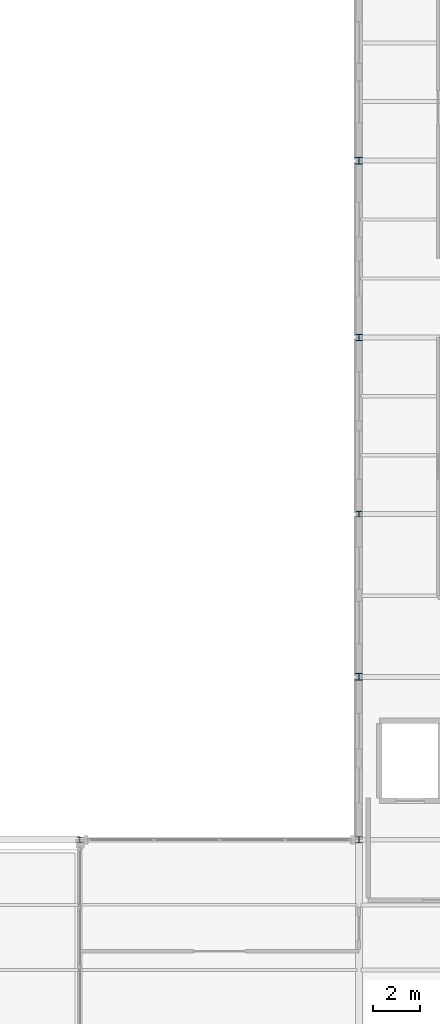
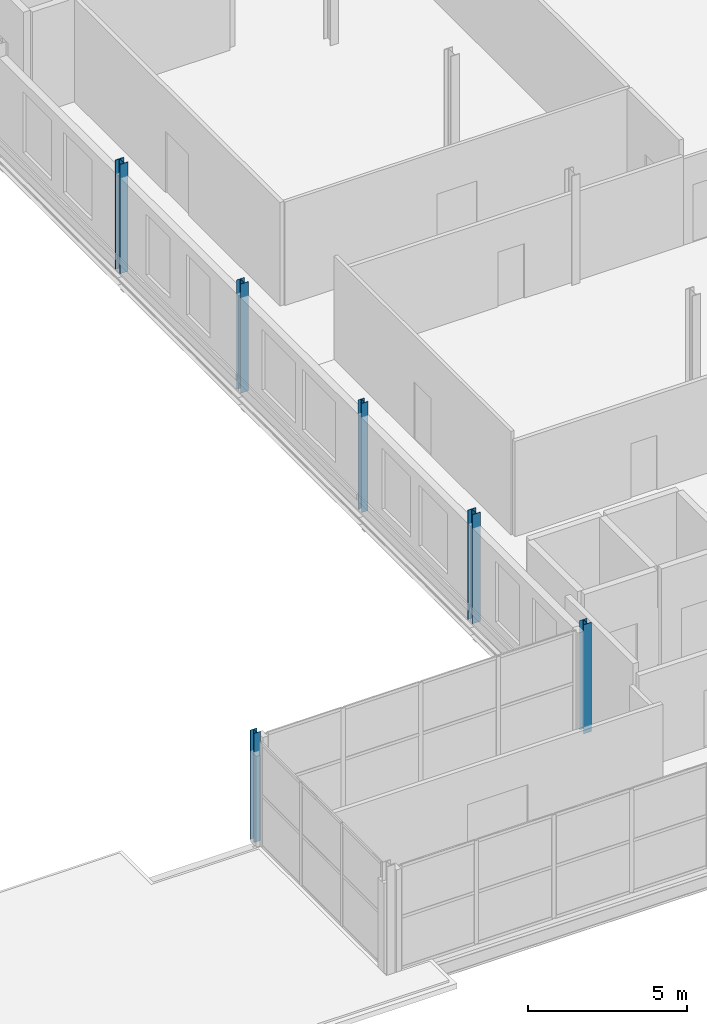
# One storey, part 11 of 93: 6 columns.
"""IFC4 building model written with IfcOpenShell, lengths in metres."""

from ifc_helpers import new_model, si_unit, direction, frame, origin, origin_2d, place, context, subcontext, project, spatial, i_section, extrude, material, material_profile, profile_set, type_object, element, save


model = new_model("IFC4")

# Units and contexts
model_context = context("Model", 3, precision=1e-05, world=origin(), true_north=direction((0.0, 1.0)))
body_context = subcontext(model_context, "Body", "Model", "MODEL_VIEW")
ifc_project = project(units=[si_unit("LENGTHUNIT", "METRE"), si_unit("AREAUNIT", "SQUARE_METRE"), si_unit("VOLUMEUNIT", "CUBIC_METRE"), si_unit("PLANEANGLEUNIT", "RADIAN"), si_unit("MASSUNIT", "GRAM", prefix="KILO")], contexts=[model_context])

# Site, building, storey
site_placement = place(None, origin())
site = spatial("IfcSite", under=ifc_project, at=site_placement, CompositionType="ELEMENT")
building_placement = place(site_placement, origin())
building = spatial("IfcBuilding", under=site, at=building_placement, Name="Vekula Escarpment Museum", CompositionType="ELEMENT")
storey_placement = place(building_placement, frame((0.0, 0.0, 22.199951171875)))
storey = spatial("IfcBuildingStorey", under=building, at=storey_placement, Name="L05", CompositionType="ELEMENT", Elevation=22.199951171875)

# Columns
ifc_material_1 = material(Name="Steel S355", Category="steel")
ifc_material_profile_1 = material_profile(ifc_material_1, i_section(OverallWidth=0.239990234375, OverallDepth=0.22998046875, WebThickness=0.007568359375, FlangeThickness=0.011962890625, FilletRadius=0.02099609375, at=origin_2d()), Name="HEA 240")
ifc_profile_set_1 = profile_set([ifc_material_profile_1], Name="Steel S355")
column_type_1 = type_object("IfcColumnType", Name="COL-S-HEA240", PredefinedType="COLUMN", material=ifc_profile_set_1)
for number, where, z_axis, x_axis, name in (
    (1, (155.0, 76.39990234375, 0.0), (0.0, 0.0, 1.0), (1.0, 0.0, 0.0), "Column L05 (155.0,76.4)"),
    (2, (167.0, 90.39990234375, 0.0), (0.0, 0.0, 1.0), (1.0, 0.0, 0.0), "Column L05 (167.0,90.4)"),
):
    element("IfcColumn", number, at=place(storey_placement, frame(where, z_axis=z_axis, x_axis=x_axis)), inside=storey, type_object=column_type_1, Name=name, PredefinedType="COLUMN", context=body_context, shape_type="SweptSolid", body=[
        extrude(i_section(OverallWidth=0.239990234375, OverallDepth=0.22998046875, WebThickness=0.007568359375, FlangeThickness=0.011962890625, FilletRadius=0.02099609375, at=origin_2d()), origin(), (0.0, 0.0, 1.0), 4.199951171875),
    ])
ifc_material_2 = material(Name="Steel S355", Category="steel")
ifc_material_profile_2 = material_profile(ifc_material_2, i_section(OverallWidth=0.280029296875, OverallDepth=0.27001953125, WebThickness=0.008056640625, FlangeThickness=0.012939453125, FilletRadius=0.02392578125, at=origin_2d()), Name="HEA 280")
ifc_profile_set_2 = profile_set([ifc_material_profile_2], Name="Steel S355")
column_type_2 = type_object("IfcColumnType", Name="COL-S-HEA280", PredefinedType="COLUMN", material=ifc_profile_set_2)
for number, where, z_axis, x_axis, name in (
    (3, (167.0, 76.39990234375, 0.0), (0.0, 0.0, 1.0), (1.0, 0.0, 0.0), "Column L05 (167.0,76.4)"),
    (4, (167.0, 98.0, 0.0), (0.0, 0.0, 1.0), (1.0, 0.0, 0.0), "Column L05 (167.0,98.0)"),
):
    element("IfcColumn", number, at=place(storey_placement, frame(where, z_axis=z_axis, x_axis=x_axis)), inside=storey, type_object=column_type_2, Name=name, PredefinedType="COLUMN", context=body_context, shape_type="SweptSolid", body=[
        extrude(i_section(OverallWidth=0.280029296875, OverallDepth=0.27001953125, WebThickness=0.008056640625, FlangeThickness=0.012939453125, FilletRadius=0.02392578125, at=origin_2d()), origin(), (0.0, 0.0, 1.0), 4.199951171875),
    ])
ifc_material_3 = material(Name="Steel S355", Category="steel")
ifc_material_profile_3 = material_profile(ifc_material_3, i_section(OverallWidth=0.300048828125, OverallDepth=0.300048828125, WebThickness=0.010986328125, FlangeThickness=0.01904296875, FilletRadius=0.027099609375, at=origin_2d()), Name="HEB 300")
ifc_profile_set_3 = profile_set([ifc_material_profile_3], Name="Steel S355")
column_type_3 = type_object("IfcColumnType", Name="COL-S-HEB300", PredefinedType="COLUMN", material=ifc_profile_set_3)
for number, where, z_axis, x_axis, name in (
    (5, (167.0, 83.39990234375, 0.0), (0.0, 0.0, 1.0), (1.0, 0.0, 0.0), "Column L05 (167.0,83.4)"),
    (6, (167.0, 105.60009765625, 0.0), (0.0, 0.0, 1.0), (1.0, 0.0, 0.0), "Column L05 (167.0,105.6)"),
):
    element("IfcColumn", number, at=place(storey_placement, frame(where, z_axis=z_axis, x_axis=x_axis)), inside=storey, type_object=column_type_3, Name=name, PredefinedType="COLUMN", context=body_context, shape_type="SweptSolid", body=[
        extrude(i_section(OverallWidth=0.300048828125, OverallDepth=0.300048828125, WebThickness=0.010986328125, FlangeThickness=0.01904296875, FilletRadius=0.027099609375, at=origin_2d()), origin(), (0.0, 0.0, 1.0), 4.199951171875),
    ])

save(model, "model.ifc")
